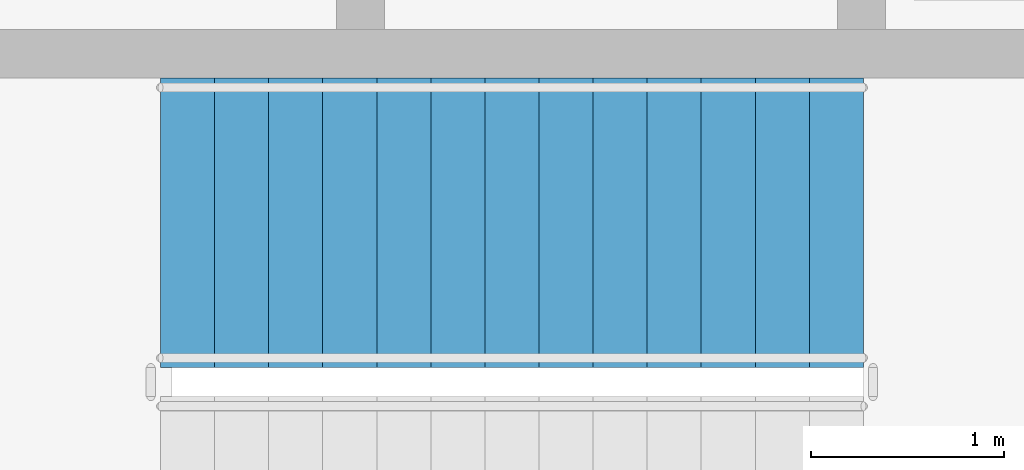
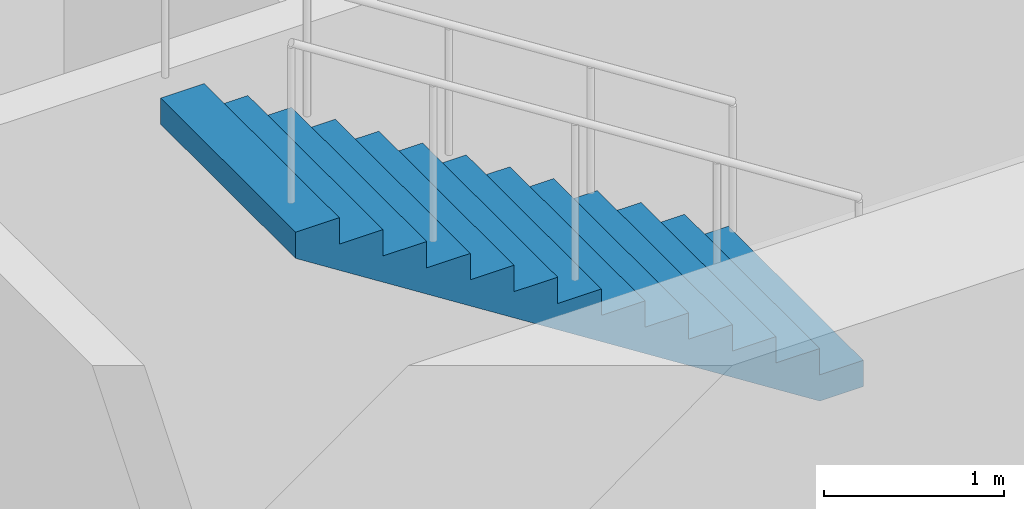
# One storey, part 43 of 51: 1 stair flight, 1 element without a shape of its own.
"""IFC4 building model written with IfcOpenShell, lengths in metres."""

from ifc_helpers import new_model, si_unit, direction, frame, origin, place, context, subcontext, project, spatial, polyline, outline, extrude, material, type_object, element, aggregate, save


model = new_model("IFC4")

# Units and contexts
model_context = context("Model", 3, precision=1e-05, world=origin(), true_north=direction((0.0, 1.0)))
body_context = subcontext(model_context, "Body", "Model", "MODEL_VIEW")
ifc_project = project(units=[si_unit("LENGTHUNIT", "METRE"), si_unit("AREAUNIT", "SQUARE_METRE"), si_unit("VOLUMEUNIT", "CUBIC_METRE"), si_unit("PLANEANGLEUNIT", "RADIAN"), si_unit("MASSUNIT", "GRAM", prefix="KILO")], contexts=[model_context])

# Site, building, storey
site_placement = place(None, origin())
site = spatial("IfcSite", under=ifc_project, at=site_placement, CompositionType="ELEMENT")
building_placement = place(site_placement, origin())
building = spatial("IfcBuilding", under=site, at=building_placement, Name="Rimbun Link Towers", CompositionType="ELEMENT")
storey_placement = place(building_placement, frame((0.0, 0.0, 7.0)))
storey = spatial("IfcBuildingStorey", under=building, at=storey_placement, Name="L01", CompositionType="ELEMENT", Elevation=7.0)

# Stair, stair flight
ifc_material_1 = material(Name="Concrete C40/50", Category="concrete")
stair_type = type_object("IfcStairType", Name="Exit stair 5000 rise", PredefinedType="HALF_TURN_STAIR", material=ifc_material_1)
stair_placement = place(storey_placement, origin())
stair = element("IfcStair", 1, at=stair_placement, inside=storey, type_object=stair_type, Name="L01 EXIT STAIR B", PredefinedType="HALF_TURN_STAIR")
ifc_material_2 = material(Name="Concrete C40/50", Category="concrete")
stair_flight_type = type_object("IfcStairFlightType", Name="Exit stair flight 5000 rise", PredefinedType="STRAIGHT", material=ifc_material_2)
stair_flight_placement = place(storey_placement, frame((40.840087890625, -5.14990234375, 2.5), z_axis=(0.0, 0.0, 1.0), x_axis=(-1.0, 0.0, 0.0)))
stair_flight = element("IfcStairFlight", 2, at=stair_flight_placement, type_object=stair_flight_type, Name="ST4 flight 2", NumberOfRisers=14, NumberOfTreads=13, PredefinedType="STRAIGHT", RiserHeight=0.178571429, TreadLength=0.28, context=body_context, shape_type="SweptSolid", body=[
    extrude(outline(polyline([(0.0, 0.0), (0.0, 0.178466796875), (0.280029296875, 0.178466796875), (0.280029296875, 0.357177734375), (0.56005859375, 0.357177734375), (0.56005859375, 0.53564453125), (0.840087890625, 0.53564453125), (0.840087890625, 0.71435546875), (1.1201171875, 0.71435546875), (1.1201171875, 0.892822265625), (1.39990234375, 0.892822265625), (1.39990234375, 1.071533203125), (1.679931640625, 1.071533203125), (1.679931640625, 1.25), (1.9599609375, 1.25), (1.9599609375, 1.428466796875), (2.239990234375, 1.428466796875), (2.239990234375, 1.607177734375), (2.52001953125, 1.607177734375), (2.52001953125, 1.78564453125), (2.800048828125, 1.78564453125), (2.800048828125, 1.96435546875), (3.080078125, 1.96435546875), (3.080078125, 2.142822265625), (3.360107421875, 2.142822265625), (3.360107421875, 2.321533203125), (3.639892578125, 2.321533203125), (3.639892578125, 2.5), (3.639892578125, 2.1435546875), (0.280029296875, 0.0), (0.0, 0.0)])), frame((0.0, 0.75, 0.0), z_axis=(0.0, -1.0, 0.0), x_axis=(1.0, 0.0, 0.0)), (0.0, 0.0, 1.0), 1.5),
])
aggregate(stair, [stair_flight])

save(model, "model.ifc")
